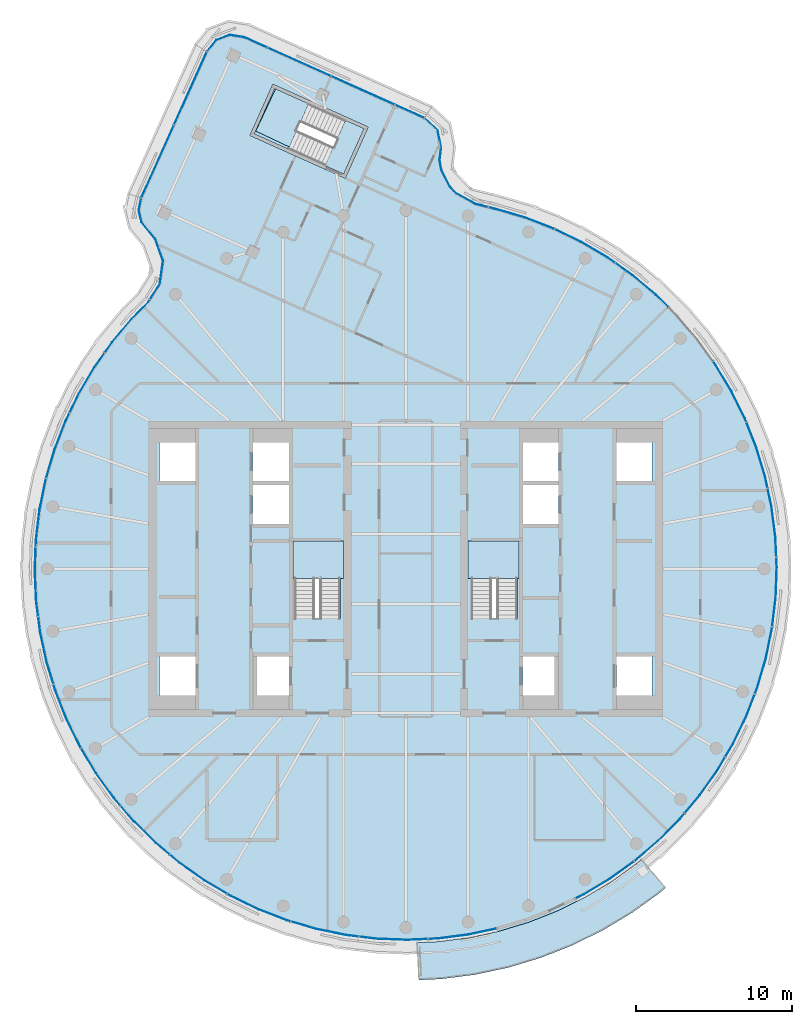
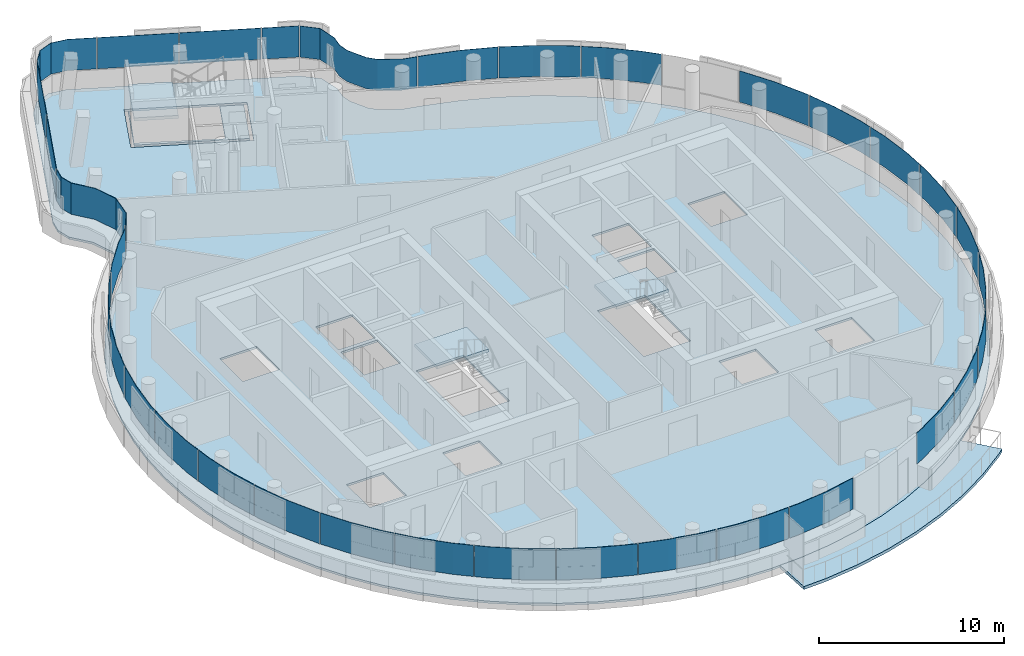
# One storey, part 12 of 21: 34 plates, 6 slabs, 6 elements without a shape of their own.
"""IFC4 building model written with IfcOpenShell, lengths in metres."""

from ifc_helpers import new_model, si_unit, direction, frame, origin, place, context, subcontext, project, spatial, polyline, outline, extrude, material, layer, layer_set, type_object, element, aggregate, save


model = new_model("IFC4")

# Units and contexts
model_context = context("Model", 3, precision=1e-05, world=origin(), true_north=direction((0.0, 1.0)))
body_context = subcontext(model_context, "Body", "Model", "MODEL_VIEW")
ifc_project = project(units=[si_unit("LENGTHUNIT", "METRE"), si_unit("AREAUNIT", "SQUARE_METRE"), si_unit("VOLUMEUNIT", "CUBIC_METRE"), si_unit("PLANEANGLEUNIT", "RADIAN"), si_unit("MASSUNIT", "GRAM", prefix="KILO")], contexts=[model_context])

# Site, building, storey
site_placement = place(None, origin())
site = spatial("IfcSite", under=ifc_project, at=site_placement, CompositionType="ELEMENT")
building_placement = place(site_placement, origin())
building = spatial("IfcBuilding", under=site, at=building_placement, Name="Tamarind Cross Interchange Tower", CompositionType="ELEMENT")
storey_placement = place(building_placement, frame((0.0, 0.0, 271.199951171875)))
storey = spatial("IfcBuildingStorey", under=building, at=storey_placement, Name="L69", CompositionType="ELEMENT", Elevation=271.199951171875)

# Slabs
ifc_material_1 = material(Name="Precast concrete C40", Category="concrete")
ifc_layer_1 = layer(ifc_material_1, 0.199951171875)
ifc_layer_set_1 = layer_set([ifc_layer_1], Name="Precast concrete C40")
slab_type_1 = type_object("IfcSlabType", Name="Balcony slab", PredefinedType="BASESLAB", material=ifc_layer_set_1)
slab_1_placement = place(storey_placement, frame((0.0, 0.0, -0.199951171875)))
element("IfcSlab", 1, at=slab_1_placement, inside=storey, type_object=slab_type_1, Name="SLB-L69-BAL01", PredefinedType="BASESLAB", context=body_context, shape_type="SweptSolid", body=[
    extrude(outline(polyline([(0.734130859375, -23.967041015625), (2.08447265625, -23.9052734375), (4.051513671875, -23.6513671875), (5.99072265625, -23.236083984375), (7.88916015625, -22.662109375), (9.733642578125, -21.93310546875), (11.511474609375, -21.054443359375), (13.2109375, -20.031982421875), (14.820068359375, -18.87255859375), (15.09716796875, -18.6357421875), (16.65625, -20.46044921875), (16.303466796875, -20.76171875), (14.533203125, -22.037109375), (12.663818359375, -23.162109375), (10.7080078125, -24.128662109375), (8.6787109375, -24.9306640625), (6.59033203125, -25.56201171875), (4.45703125, -26.01904296875), (2.293212890625, -26.298095703125), (0.843505859375, -26.364501953125), (0.734130859375, -23.967041015625)])), origin(), (0.0, 0.0, 1.0), 0.199951171875),
])
ifc_material_2 = material(Name="Concrete C35", Category="concrete")
ifc_layer_2 = layer(ifc_material_2, 0.139892578125)
ifc_layer_set_2 = layer_set([ifc_layer_2], Name="Concrete C35")
slab_type_2 = type_object("IfcSlabType", Name="Composite slab 140 Concrete C35", PredefinedType="FLOOR", material=ifc_layer_set_2)
slab_2_placement = place(storey_placement, frame((0.0, 0.0, -0.139892578125)))
element("IfcSlab", 2, at=slab_2_placement, inside=storey, type_object=slab_type_2, Name="Floor slab L69", PredefinedType="FLOOR", context=body_context, shape_type="SweptSolid", body=[
    extrude(outline(polyline([(2.2275390625, 28.24365234375), (1.303466796875, 29.087890625), (-10.285400390625, 34.290771484375), (-11.307373046875, 34.455810546875), (-12.275146484375, 34.087890625), (-12.92919921875, 33.285400390625), (-17.16259765625, 23.85546875), (-17.337646484375, 22.994384765625), (-17.12646484375, 22.14111328125), (-16.25439453125, 21.070556640625), (-15.778564453125, 19.739990234375), (-15.975830078125, 18.340576171875), (-16.6787109375, 17.2333984375), (-17.72412109375, 16.17578125), (-18.99951171875, 14.656982421875), (-20.14501953125, 13.0380859375), (-21.15283203125, 11.329833984375), (-22.01611328125, 9.54443359375), (-22.72900390625, 7.693603515625), (-23.286865234375, 5.79052734375), (-23.685546875, 3.84765625), (-23.92236328125, 1.878662109375), (-23.99560546875, -0.103271484375), (-23.9052734375, -2.08447265625), (-23.651611328125, -4.051513671875), (-23.236083984375, -5.99072265625), (-22.662109375, -7.88916015625), (-21.93310546875, -9.7333984375), (-21.054443359375, -11.511474609375), (-20.031982421875, -13.2109375), (-18.87255859375, -14.820068359375), (-17.584228515625, -16.327880859375), (-16.17578125, -17.72412109375), (-14.656982421875, -18.99951171875), (-13.0380859375, -20.14501953125), (-11.329833984375, -21.15283203125), (-9.54443359375, -22.01611328125), (-7.693603515625, -22.72900390625), (-5.79052734375, -23.286865234375), (-3.84765625, -23.685546875), (-1.878662109375, -23.92236328125), (0.103271484375, -23.99560546875), (2.08447265625, -23.9052734375), (4.051513671875, -23.651611328125), (5.99072265625, -23.236083984375), (7.88916015625, -22.662109375), (9.7333984375, -21.93310546875), (11.511474609375, -21.054443359375), (13.2109375, -20.031982421875), (14.820068359375, -18.87255859375), (16.327880859375, -17.584228515625), (17.72412109375, -16.17578125), (18.99951171875, -14.656982421875), (20.14501953125, -13.0380859375), (21.15283203125, -11.329833984375), (22.01611328125, -9.54443359375), (22.72900390625, -7.693603515625), (23.286865234375, -5.79052734375), (23.685546875, -3.84765625), (23.92236328125, -1.878662109375), (23.99560546875, 0.103271484375), (23.9052734375, 2.08447265625), (23.651611328125, 4.051513671875), (23.236083984375, 5.99072265625), (22.662109375, 7.88916015625), (21.93310546875, 9.7333984375), (21.054443359375, 11.511474609375), (20.031982421875, 13.2109375), (18.87255859375, 14.820068359375), (17.584228515625, 16.327880859375), (16.17578125, 17.72412109375), (14.656982421875, 18.99951171875), (13.0380859375, 20.14501953125), (11.329833984375, 21.15283203125), (9.54443359375, 22.01611328125), (7.693603515625, 22.72900390625), (5.79052734375, 23.286865234375), (4.543212890625, 23.593017578125), (3.395751953125, 24.2265625), (2.9970703125, 24.638671875), (2.470703125, 25.67236328125), (2.37158203125, 26.237060546875), (2.468994140625, 27.015380859375), (2.2275390625, 28.24365234375)]), holes=[polyline([(-13.5, -5.625), (-13.5, -8.125), (-15.800048828125, -8.125), (-15.800048828125, -5.625), (-13.5, -5.625)]), polyline([(-7.5, -5.625), (-7.5, -8.125), (-9.800048828125, -8.125), (-9.800048828125, -5.625), (-7.5, -5.625)]), polyline([(-7.14990234375, 1.800048828125), (-4.199951171875, 1.800048828125), (-4.199951171875, -3.18798828125), (-7.14990234375, -3.18798828125), (-7.14990234375, 1.800048828125)]), polyline([(-7.5, 5.375), (-7.5, 2.875), (-9.800048828125, 2.875), (-9.800048828125, 5.375), (-7.5, 5.375)]), polyline([(-13.5, 8.125), (-13.5, 5.625), (-15.800048828125, 5.625), (-15.800048828125, 8.125), (-13.5, 8.125)]), polyline([(-7.5, 8.125), (-7.5, 5.625), (-9.800048828125, 5.625), (-9.800048828125, 8.125), (-7.5, 8.125)]), polyline([(-3.887451171875, 25.060791015625), (-9.999755859375, 27.8046875), (-9.917724609375, 27.9873046875), (-8.607177734375, 30.906494140625), (-8.525390625, 31.089111328125), (-8.2646484375, 30.971923828125), (-8.262451171875, 30.976806640625), (-8.00048828125, 30.853271484375), (-2.4130859375, 28.344970703125), (-2.494873046875, 28.162353515625), (-3.8056640625, 25.2431640625), (-3.887451171875, 25.060791015625)]), polyline([(7.5, -8.125), (7.5, -5.625), (9.800048828125, -5.625), (9.800048828125, -8.125), (7.5, -8.125)]), polyline([(13.5, -8.125), (13.5, -5.625), (15.800048828125, -5.625), (15.800048828125, -8.125), (13.5, -8.125)]), polyline([(4.199951171875, 1.800048828125), (7.14990234375, 1.800048828125), (7.14990234375, -3.18798828125), (4.199951171875, -3.18798828125), (4.199951171875, 1.800048828125)]), polyline([(7.5, 2.875), (7.5, 5.375), (9.800048828125, 5.375), (9.800048828125, 2.875), (7.5, 2.875)]), polyline([(7.5, 5.625), (7.5, 8.125), (9.800048828125, 8.125), (9.800048828125, 5.625), (7.5, 5.625)]), polyline([(13.5, 5.625), (13.5, 8.125), (15.800048828125, 8.125), (15.800048828125, 5.625), (13.5, 5.625)])]), origin(), (0.0, 0.0, 1.0), 0.139892578125),
])
slab_3_placement = place(storey_placement, frame((0.0, 0.0, -0.139892578125)))
element("IfcSlab", 3, at=slab_3_placement, inside=storey, type_object=slab_type_2, Name="Floor slab L69", PredefinedType="FLOOR", context=body_context, shape_type="SweptSolid", body=[
    extrude(outline(polyline([(-8.4248046875, 30.82470703125), (-9.7353515625, 27.9052734375), (-3.988037109375, 25.324951171875), (-2.677490234375, 28.244384765625), (-3.874267578125, 28.78173828125), (-5.1376953125, 25.967529296875), (-9.626220703125, 28.081787109375), (-8.349853515625, 30.791015625), (-8.4248046875, 30.82470703125)])), origin(), (0.0, 0.0, 1.0), 0.139892578125),
])

# Stair, slab
ifc_material_3 = material(Name="Exit stair")
stair_type = type_object("IfcStairType", Name="Exit stair", PredefinedType="HALF_TURN_STAIR", material=ifc_material_3)
stair_1_placement = place(storey_placement, origin())
stair_1 = element("IfcStair", 4, at=stair_1_placement, inside=storey, type_object=stair_type, Name="L69 exit stair ST1", PredefinedType="HALF_TURN_STAIR")
ifc_material_4 = material(Name="Concrete C40", Category="concrete")
ifc_layer_3 = layer(ifc_material_4, 0.199951171875)
ifc_layer_set_3 = layer_set([ifc_layer_3], Name="Concrete C40")
slab_type_3 = type_object("IfcSlabType", Name="Stair landing", PredefinedType="LANDING", material=ifc_layer_set_3)
slab_4_placement = place(storey_placement, frame((0.0, 0.0, 1.60009765625)))
slab_4 = element("IfcSlab", 5, at=slab_4_placement, type_object=slab_type_3, Name="ST1 landing 1", PredefinedType="LANDING", context=body_context, shape_type="SweptSolid", body=[
    extrude(outline(polyline([(-4.0, -0.60009765625), (-4.0, 1.800048828125), (-7.25, 1.800048828125), (-7.25, -0.60009765625), (-4.0, -0.60009765625)])), origin(), (0.0, 0.0, 1.0), 0.199951171875),
])
aggregate(stair_1, [slab_4])

stair_2_placement = place(storey_placement, origin())
stair_2 = element("IfcStair", 6, at=stair_2_placement, inside=storey, type_object=stair_type, Name="L69 exit stair ST2", PredefinedType="HALF_TURN_STAIR")
slab_5_placement = place(storey_placement, frame((0.0, 0.0, 1.60009765625)))
slab_5 = element("IfcSlab", 7, at=slab_5_placement, type_object=slab_type_3, Name="ST2 landing 1", PredefinedType="LANDING", context=body_context, shape_type="SweptSolid", body=[
    extrude(outline(polyline([(7.25, -0.60009765625), (7.25, 1.800048828125), (4.0, 1.800048828125), (4.0, -0.60009765625), (7.25, -0.60009765625)])), origin(), (0.0, 0.0, 1.0), 0.199951171875),
])
aggregate(stair_2, [slab_5])

stair_3_placement = place(storey_placement, origin())
stair_3 = element("IfcStair", 8, at=stair_3_placement, inside=storey, type_object=stair_type, Name="L69 exit stair ST4", PredefinedType="HALF_TURN_STAIR")
slab_6_placement = place(storey_placement, frame((0.0, 0.0, 1.60009765625)))
slab_6 = element("IfcSlab", 9, at=slab_6_placement, type_object=slab_type_3, Name="ST4 landing 1", PredefinedType="LANDING", context=body_context, shape_type="SweptSolid", body=[
    extrude(outline(polyline([(-6.224365234375, 29.836669921875), (-8.4248046875, 30.82470703125), (-9.7353515625, 27.9052734375), (-7.534912109375, 26.91748046875), (-6.224365234375, 29.836669921875)])), origin(), (0.0, 0.0, 1.0), 0.199951171875),
])
aggregate(stair_3, [slab_6])

# Curtain wall, plates
ifc_material_5 = material(Name="Aluminium 6063-T6", Category="aluminium")
ifc_layer_4 = layer(ifc_material_5, 0.139892578125)
ifc_layer_set_4 = layer_set([ifc_layer_4], Name="Aluminium 6063-T6")
curtain_wall_type = type_object("IfcCurtainWallType", Name="Hotel curtain wall, 4.5 m bays", PredefinedType="NOTDEFINED", material=ifc_layer_set_4)
curtain_wall_1_placement = place(storey_placement, origin())
curtain_wall_1 = element("IfcCurtainWall", 10, at=curtain_wall_1_placement, inside=storey, type_object=curtain_wall_type, Name="CWS-L69-00", PredefinedType="NOTDEFINED")
ifc_material_6 = material(Name="Laminated low-e glass 6+1.52+6", Category="glass")
ifc_layer_5 = layer(ifc_material_6, 0.02392578125)
ifc_layer_set_5 = layer_set([ifc_layer_5], Name="Laminated low-e glass 6+1.52+6")
plate_type = type_object("IfcPlateType", Name="Vision panel CW2", PredefinedType="CURTAIN_PANEL", material=ifc_layer_set_5)
plate_1_placement = place(storey_placement, frame((0.0, 0.0, 1.400146484375)))
plate_1 = element("IfcPlate", 11, at=plate_1_placement, type_object=plate_type, Name="CWP-L69-00-00", PredefinedType="CURTAIN_PANEL", context=body_context, shape_type="SweptSolid", body=[
    extrude(outline(polyline([(-12.7587890625, 33.14697265625), (-14.841064453125, 28.509033203125), (-14.86279296875, 28.518798828125), (-12.78076171875, 33.156982421875), (-12.7587890625, 33.14697265625)])), origin(), (0.0, 0.0, 1.0), 2.059814453125),
])
plate_2_placement = place(storey_placement, frame((0.0, 0.0, 1.400146484375)))
plate_2 = element("IfcPlate", 12, at=plate_2_placement, type_object=plate_type, Name="CWP-L69-00-01", PredefinedType="CURTAIN_PANEL", context=body_context, shape_type="SweptSolid", body=[
    extrude(outline(polyline([(-14.865478515625, 28.454345703125), (-16.94775390625, 23.81640625), (-16.9697265625, 23.826171875), (-14.887451171875, 28.464111328125), (-14.865478515625, 28.454345703125)])), origin(), (0.0, 0.0, 1.0), 2.059814453125),
])
aggregate(curtain_wall_1, [plate_1, plate_2])

curtain_wall_2_placement = place(storey_placement, origin())
curtain_wall_2 = element("IfcCurtainWall", 13, at=curtain_wall_2_placement, inside=storey, type_object=curtain_wall_type, Name="CWS-L69-01", PredefinedType="NOTDEFINED")
plate_3_placement = place(storey_placement, frame((0.0, 0.0, 1.400146484375)))
plate_3 = element("IfcPlate", 14, at=plate_3_placement, type_object=plate_type, Name="CWP-L69-01-00", PredefinedType="CURTAIN_PANEL", context=body_context, shape_type="SweptSolid", body=[
    extrude(outline(polyline([(-16.96533203125, 23.761962890625), (-17.120361328125, 22.998779296875), (-16.93212890625, 22.23828125), (-16.067138671875, 21.17626953125), (-15.561279296875, 19.761962890625), (-15.772216796875, 18.265625), (-16.383544921875, 17.302978515625), (-16.40380859375, 17.31591796875), (-15.79541015625, 18.27392578125), (-15.5859375, 19.759521484375), (-16.088134765625, 21.164306640625), (-16.9541015625, 22.227294921875), (-17.14501953125, 22.998291015625), (-16.98876953125, 23.766845703125), (-16.96533203125, 23.761962890625)])), origin(), (0.0, 0.0, 1.0), 2.059814453125),
])
plate_4_placement = place(storey_placement, frame((0.0, 0.0, 1.400146484375)))
plate_4 = element("IfcPlate", 15, at=plate_4_placement, type_object=plate_type, Name="CWP-L69-01-01", PredefinedType="CURTAIN_PANEL", context=body_context, shape_type="SweptSolid", body=[
    extrude(outline(polyline([(-16.41552734375, 17.252197265625), (-16.511962890625, 17.1005859375), (-17.5673828125, 16.032958984375), (-18.83154296875, 14.52734375), (-19.291259765625, 13.87744140625), (-19.31103515625, 13.89111328125), (-18.850341796875, 14.5419921875), (-17.585205078125, 16.049072265625), (-16.53076171875, 17.115478515625), (-16.435791015625, 17.26513671875), (-16.41552734375, 17.252197265625)])), origin(), (0.0, 0.0, 1.0), 2.059814453125),
])
plate_5_placement = place(storey_placement, frame((0.0, 0.0, 1.400146484375)))
plate_5 = element("IfcPlate", 16, at=plate_5_placement, type_object=plate_type, Name="CWP-L69-01-02", PredefinedType="CURTAIN_PANEL", context=body_context, shape_type="SweptSolid", body=[
    extrude(outline(polyline([(-19.325927734375, 13.828369140625), (-19.966796875, 12.922607421875), (-20.9658203125, 11.229736328125), (-21.544677734375, 10.0322265625), (-21.56640625, 10.042724609375), (-20.98681640625, 11.240966796875), (-19.987060546875, 12.935791015625), (-19.345458984375, 13.84228515625), (-19.325927734375, 13.828369140625)])), origin(), (0.0, 0.0, 1.0), 2.059814453125),
])
plate_6_placement = place(storey_placement, frame((0.0, 0.0, 1.400146484375)))
plate_6 = element("IfcPlate", 17, at=plate_6_placement, type_object=plate_type, Name="CWP-L69-01-03", PredefinedType="CURTAIN_PANEL", context=body_context, shape_type="SweptSolid", body=[
    extrude(outline(polyline([(-21.57080078125, 9.978271484375), (-21.821533203125, 9.4599609375), (-22.528076171875, 7.625732421875), (-23.05224609375, 5.837158203125), (-23.0751953125, 5.843994140625), (-22.55078125, 7.63330078125), (-21.843505859375, 9.469482421875), (-21.592529296875, 9.98876953125), (-21.57080078125, 9.978271484375)])), origin(), (0.0, 0.0, 1.0), 2.059814453125),
])
plate_7_placement = place(storey_placement, frame((0.0, 0.0, 1.400146484375)))
plate_7 = element("IfcPlate", 18, at=plate_7_placement, type_object=plate_type, Name="CWP-L69-01-04", PredefinedType="CURTAIN_PANEL", context=body_context, shape_type="SweptSolid", body=[
    extrude(outline(polyline([(-23.069091796875, 5.77978515625), (-23.080810546875, 5.7392578125), (-23.47607421875, 3.813720703125), (-23.710693359375, 1.862060546875), (-23.726806640625, 1.43212890625), (-23.750732421875, 1.43310546875), (-23.734619140625, 1.864013671875), (-23.499755859375, 3.817626953125), (-23.104248046875, 5.7451171875), (-23.092041015625, 5.786376953125), (-23.069091796875, 5.77978515625)])), origin(), (0.0, 0.0, 1.0), 2.059814453125),
])
plate_8_placement = place(storey_placement, frame((0.0, 0.0, 1.400146484375)))
plate_8 = element("IfcPlate", 19, at=plate_8_placement, type_object=plate_type, Name="CWP-L69-01-05", PredefinedType="CURTAIN_PANEL", context=body_context, shape_type="SweptSolid", body=[
    extrude(outline(polyline([(-23.72900390625, 1.372314453125), (-23.783447265625, -0.102294921875), (-23.69384765625, -2.06591796875), (-23.570556640625, -3.02197265625), (-23.59423828125, -3.025146484375), (-23.7177734375, -2.068115234375), (-23.8076171875, -0.1025390625), (-23.7529296875, 1.373046875), (-23.72900390625, 1.372314453125)])), origin(), (0.0, 0.0, 1.0), 2.059814453125),
])
plate_9_placement = place(storey_placement, frame((0.0, 0.0, 1.400146484375)))
plate_9 = element("IfcPlate", 20, at=plate_9_placement, type_object=plate_type, Name="CWP-L69-01-06", PredefinedType="CURTAIN_PANEL", context=body_context, shape_type="SweptSolid", body=[
    extrude(outline(polyline([(-23.562744140625, -3.08154296875), (-23.4423828125, -4.015625), (-23.03076171875, -5.937744140625), (-22.59716796875, -7.37109375), (-22.6201171875, -7.378173828125), (-23.053955078125, -5.94384765625), (-23.466064453125, -4.019775390625), (-23.586669921875, -3.08447265625), (-23.562744140625, -3.08154296875)])), origin(), (0.0, 0.0, 1.0), 2.059814453125),
])
plate_10_placement = place(storey_placement, frame((0.0, 0.0, 1.400146484375)))
plate_10 = element("IfcPlate", 21, at=plate_10_placement, type_object=plate_type, Name="CWP-L69-01-07", PredefinedType="CURTAIN_PANEL", context=body_context, shape_type="SweptSolid", body=[
    extrude(outline(polyline([(-22.579833984375, -7.4287109375), (-22.461669921875, -7.8193359375), (-21.7392578125, -9.6474609375), (-20.868408203125, -11.40966796875), (-20.835205078125, -11.464599609375), (-20.85595703125, -11.47705078125), (-20.889404296875, -11.421142578125), (-21.76123046875, -9.6572265625), (-22.484375, -7.8271484375), (-22.602783203125, -7.435546875), (-22.579833984375, -7.4287109375)])), origin(), (0.0, 0.0, 1.0), 2.059814453125),
])
plate_11_placement = place(storey_placement, frame((0.0, 0.0, 1.400146484375)))
plate_11 = element("IfcPlate", 22, at=plate_11_placement, type_object=plate_type, Name="CWP-L69-01-08", PredefinedType="CURTAIN_PANEL", context=body_context, shape_type="SweptSolid", body=[
    extrude(outline(polyline([(-20.804443359375, -11.51611328125), (-19.854736328125, -13.093994140625), (-18.705810546875, -14.68896484375), (-18.3173828125, -15.143310546875), (-18.335693359375, -15.158935546875), (-18.724609375, -14.703857421875), (-19.874755859375, -13.107177734375), (-20.824951171875, -11.5283203125), (-20.804443359375, -11.51611328125)])), origin(), (0.0, 0.0, 1.0), 2.059814453125),
])
plate_12_placement = place(storey_placement, frame((0.0, 0.0, 1.400146484375)))
plate_12 = element("IfcPlate", 23, at=plate_12_placement, type_object=plate_type, Name="CWP-L69-01-09", PredefinedType="CURTAIN_PANEL", context=body_context, shape_type="SweptSolid", body=[
    extrude(outline(polyline([(-18.278564453125, -15.18896484375), (-17.4287109375, -16.183349609375), (-16.032958984375, -17.5673828125), (-15.166259765625, -18.294921875), (-15.181884765625, -18.313232421875), (-16.049072265625, -17.585205078125), (-17.4462890625, -16.19970703125), (-18.296875, -15.20458984375), (-18.278564453125, -15.18896484375)])), origin(), (0.0, 0.0, 1.0), 2.059814453125),
])
plate_13_placement = place(storey_placement, frame((0.0, 0.0, 1.400146484375)))
plate_13 = element("IfcPlate", 24, at=plate_13_placement, type_object=plate_type, Name="CWP-L69-01-10", PredefinedType="CURTAIN_PANEL", context=body_context, shape_type="SweptSolid", body=[
    extrude(outline(polyline([(-15.120361328125, -18.33349609375), (-14.52734375, -18.83154296875), (-12.922607421875, -19.966796875), (-11.488525390625, -20.81298828125), (-11.500732421875, -20.83349609375), (-12.935791015625, -19.987060546875), (-14.5419921875, -18.850341796875), (-15.1357421875, -18.351806640625), (-15.120361328125, -18.33349609375)])), origin(), (0.0, 0.0, 1.0), 2.059814453125),
])
plate_14_placement = place(storey_placement, frame((0.0, 0.0, 1.400146484375)))
plate_14 = element("IfcPlate", 25, at=plate_14_placement, type_object=plate_type, Name="CWP-L69-01-11", PredefinedType="CURTAIN_PANEL", context=body_context, shape_type="SweptSolid", body=[
    extrude(outline(polyline([(-11.43701171875, -20.843505859375), (-11.229736328125, -20.9658203125), (-9.4599609375, -21.821533203125), (-7.625732421875, -22.528076171875), (-7.403564453125, -22.59326171875), (-7.410400390625, -22.6162109375), (-7.63330078125, -22.55078125), (-9.469482421875, -21.843505859375), (-11.240966796875, -20.98681640625), (-11.44921875, -20.864013671875), (-11.43701171875, -20.843505859375)])), origin(), (0.0, 0.0, 1.0), 2.059814453125),
])
plate_15_placement = place(storey_placement, frame((0.0, 0.0, 1.400146484375)))
plate_15 = element("IfcPlate", 26, at=plate_15_placement, type_object=plate_type, Name="CWP-L69-01-12", PredefinedType="CURTAIN_PANEL", context=body_context, shape_type="SweptSolid", body=[
    extrude(outline(polyline([(-7.345947265625, -22.610107421875), (-5.7392578125, -23.080810546875), (-3.813720703125, -23.47607421875), (-3.053955078125, -23.5673828125), (-3.056884765625, -23.59130859375), (-3.817626953125, -23.499755859375), (-5.7451171875, -23.104248046875), (-7.352783203125, -22.633056640625), (-7.345947265625, -22.610107421875)])), origin(), (0.0, 0.0, 1.0), 2.059814453125),
])
plate_16_placement = place(storey_placement, frame((0.0, 0.0, 1.400146484375)))
plate_16 = element("IfcPlate", 27, at=plate_16_placement, type_object=plate_type, Name="CWP-L69-01-13", PredefinedType="CURTAIN_PANEL", context=body_context, shape_type="SweptSolid", body=[
    extrude(outline(polyline([(-2.994384765625, -23.574462890625), (-1.862060546875, -23.710693359375), (0.102294921875, -23.783447265625), (1.39990234375, -23.724365234375), (1.401123046875, -23.748291015625), (0.1025390625, -23.8076171875), (-1.864013671875, -23.734619140625), (-2.997314453125, -23.598388671875), (-2.994384765625, -23.574462890625)])), origin(), (0.0, 0.0, 1.0), 2.059814453125),
])
plate_17_placement = place(storey_placement, frame((0.0, 0.0, 1.400146484375)))
plate_17 = element("IfcPlate", 28, at=plate_17_placement, type_object=plate_type, Name="CWP-L69-01-14", PredefinedType="CURTAIN_PANEL", context=body_context, shape_type="SweptSolid", body=[
    extrude(outline(polyline([(1.4599609375, -23.721435546875), (2.06591796875, -23.69384765625), (4.015625, -23.4423828125), (5.8076171875, -23.05859375), (5.8125, -23.08203125), (4.019775390625, -23.466064453125), (2.068115234375, -23.7177734375), (1.4609375, -23.74560546875), (1.4599609375, -23.721435546875)])), origin(), (0.0, 0.0, 1.0), 2.059814453125),
])
plate_18_placement = place(storey_placement, frame((0.0, 0.0, 1.400146484375)))
plate_18 = element("IfcPlate", 29, at=plate_18_placement, type_object=plate_type, Name="CWP-L69-01-16", PredefinedType="CURTAIN_PANEL", context=body_context, shape_type="SweptSolid", body=[
    extrude(outline(polyline([(10.909912109375, -21.115234375), (11.40966796875, -20.868408203125), (13.093994140625, -19.854736328125), (14.620849609375, -18.7548828125), (14.634765625, -18.774169921875), (13.107177734375, -19.874755859375), (11.421142578125, -20.889404296875), (10.920654296875, -21.13671875), (10.909912109375, -21.115234375)])), origin(), (0.0, 0.0, 1.0), 2.059814453125),
])
plate_19_placement = place(storey_placement, frame((0.0, 0.0, 1.400146484375)))
plate_19 = element("IfcPlate", 30, at=plate_19_placement, type_object=plate_type, Name="CWP-L69-01-17", PredefinedType="CURTAIN_PANEL", context=body_context, shape_type="SweptSolid", body=[
    extrude(outline(polyline([(14.66943359375, -18.7197265625), (14.68896484375, -18.705810546875), (16.183349609375, -17.4287109375), (17.5673828125, -16.032958984375), (17.855712890625, -15.689453125), (17.8740234375, -15.704833984375), (17.585205078125, -16.049072265625), (16.19970703125, -17.4462890625), (14.703857421875, -18.724609375), (14.68359375, -18.7392578125), (14.66943359375, -18.7197265625)])), origin(), (0.0, 0.0, 1.0), 2.059814453125),
])
plate_20_placement = place(storey_placement, frame((0.0, 0.0, 1.400146484375)))
plate_20 = element("IfcPlate", 31, at=plate_20_placement, type_object=plate_type, Name="CWP-L69-01-18", PredefinedType="CURTAIN_PANEL", context=body_context, shape_type="SweptSolid", body=[
    extrude(outline(polyline([(17.894287109375, -15.6435546875), (18.83154296875, -14.52734375), (19.966796875, -12.922607421875), (20.4658203125, -12.076904296875), (20.486572265625, -12.089111328125), (19.987060546875, -12.935791015625), (18.850341796875, -14.5419921875), (17.91259765625, -15.658935546875), (17.894287109375, -15.6435546875)])), origin(), (0.0, 0.0, 1.0), 2.059814453125),
])
plate_21_placement = place(storey_placement, frame((0.0, 0.0, 1.400146484375)))
plate_21 = element("IfcPlate", 32, at=plate_21_placement, type_object=plate_type, Name="CWP-L69-01-19", PredefinedType="CURTAIN_PANEL", context=body_context, shape_type="SweptSolid", body=[
    extrude(outline(polyline([(20.496337890625, -12.025146484375), (20.9658203125, -11.229736328125), (21.821533203125, -9.4599609375), (22.366455078125, -8.045654296875), (22.388671875, -8.05419921875), (21.843505859375, -9.469482421875), (20.98681640625, -11.240966796875), (20.51708984375, -12.037353515625), (20.496337890625, -12.025146484375)])), origin(), (0.0, 0.0, 1.0), 2.059814453125),
])
plate_22_placement = place(storey_placement, frame((0.0, 0.0, 1.400146484375)))
plate_22 = element("IfcPlate", 33, at=plate_22_placement, type_object=plate_type, Name="CWP-L69-01-20", PredefinedType="CURTAIN_PANEL", context=body_context, shape_type="SweptSolid", body=[
    extrude(outline(polyline([(22.387939453125, -7.989501953125), (22.528076171875, -7.625732421875), (23.080810546875, -5.7392578125), (23.47607421875, -3.813720703125), (23.48583984375, -3.732177734375), (23.509765625, -3.73486328125), (23.499755859375, -3.817626953125), (23.104248046875, -5.7451171875), (22.55078125, -7.63330078125), (22.410400390625, -7.998291015625), (22.387939453125, -7.989501953125)])), origin(), (0.0, 0.0, 1.0), 2.059814453125),
])
plate_23_placement = place(storey_placement, frame((0.0, 0.0, 1.400146484375)))
plate_23 = element("IfcPlate", 34, at=plate_23_placement, type_object=plate_type, Name="CWP-L69-01-21", PredefinedType="CURTAIN_PANEL", context=body_context, shape_type="SweptSolid", body=[
    extrude(outline(polyline([(23.492919921875, -3.672607421875), (23.710693359375, -1.862060546875), (23.783447265625, 0.102294921875), (23.75537109375, 0.717529296875), (23.779541015625, 0.71875), (23.8076171875, 0.1025390625), (23.734619140625, -1.864013671875), (23.516845703125, -3.67529296875), (23.492919921875, -3.672607421875)])), origin(), (0.0, 0.0, 1.0), 2.059814453125),
])
plate_24_placement = place(storey_placement, frame((0.0, 0.0, 1.400146484375)))
plate_24 = element("IfcPlate", 35, at=plate_24_placement, type_object=plate_type, Name="CWP-L69-01-22", PredefinedType="CURTAIN_PANEL", context=body_context, shape_type="SweptSolid", body=[
    extrude(outline(polyline([(23.752685546875, 0.777587890625), (23.69384765625, 2.06591796875), (23.4423828125, 4.015625), (23.20166015625, 5.139892578125), (23.22509765625, 5.144775390625), (23.466064453125, 4.019775390625), (23.7177734375, 2.068115234375), (23.776611328125, 0.778564453125), (23.752685546875, 0.777587890625)])), origin(), (0.0, 0.0, 1.0), 2.059814453125),
])
plate_25_placement = place(storey_placement, frame((0.0, 0.0, 1.400146484375)))
plate_25 = element("IfcPlate", 36, at=plate_25_placement, type_object=plate_type, Name="CWP-L69-01-23", PredefinedType="CURTAIN_PANEL", context=body_context, shape_type="SweptSolid", body=[
    extrude(outline(polyline([(23.18896484375, 5.198486328125), (23.03076171875, 5.937744140625), (22.461669921875, 7.8193359375), (21.843017578125, 9.384765625), (21.865234375, 9.3935546875), (22.484375, 7.8271484375), (23.053955078125, 5.94384765625), (23.21240234375, 5.20361328125), (23.18896484375, 5.198486328125)])), origin(), (0.0, 0.0, 1.0), 2.059814453125),
])
plate_26_placement = place(storey_placement, frame((0.0, 0.0, 1.400146484375)))
plate_26 = element("IfcPlate", 37, at=plate_26_placement, type_object=plate_type, Name="CWP-L69-01-24", PredefinedType="CURTAIN_PANEL", context=body_context, shape_type="SweptSolid", body=[
    extrude(outline(polyline([(21.821044921875, 9.440673828125), (21.7392578125, 9.6474609375), (20.868408203125, 11.40966796875), (19.854736328125, 13.093994140625), (19.708740234375, 13.296630859375), (19.728271484375, 13.310791015625), (19.874755859375, 13.107177734375), (20.889404296875, 11.421142578125), (21.76123046875, 9.6572265625), (21.84326171875, 9.449462890625), (21.821044921875, 9.440673828125)])), origin(), (0.0, 0.0, 1.0), 2.059814453125),
])
plate_27_placement = place(storey_placement, frame((0.0, 0.0, 1.400146484375)))
plate_27 = element("IfcPlate", 38, at=plate_27_placement, type_object=plate_type, Name="CWP-L69-01-26", PredefinedType="CURTAIN_PANEL", context=body_context, shape_type="SweptSolid", body=[
    extrude(outline(polyline([(16.829833984375, 16.77734375), (16.032958984375, 17.5673828125), (14.52734375, 18.83154296875), (13.4521484375, 19.59228515625), (13.4658203125, 19.61181640625), (14.5419921875, 18.850341796875), (16.049072265625, 17.585205078125), (16.8466796875, 16.794189453125), (16.829833984375, 16.77734375)])), origin(), (0.0, 0.0, 1.0), 2.059814453125),
])
plate_28_placement = place(storey_placement, frame((0.0, 0.0, 1.400146484375)))
plate_28 = element("IfcPlate", 39, at=plate_28_placement, type_object=plate_type, Name="CWP-L69-01-27", PredefinedType="CURTAIN_PANEL", context=body_context, shape_type="SweptSolid", body=[
    extrude(outline(polyline([(13.403076171875, 19.626953125), (12.922607421875, 19.966796875), (11.229736328125, 20.9658203125), (9.5634765625, 21.771484375), (9.573974609375, 21.79296875), (11.240966796875, 20.98681640625), (12.935791015625, 19.987060546875), (13.4169921875, 19.646484375), (13.403076171875, 19.626953125)])), origin(), (0.0, 0.0, 1.0), 2.059814453125),
])
plate_29_placement = place(storey_placement, frame((0.0, 0.0, 1.400146484375)))
plate_29 = element("IfcPlate", 40, at=plate_29_placement, type_object=plate_type, Name="CWP-L69-01-28", PredefinedType="CURTAIN_PANEL", context=body_context, shape_type="SweptSolid", body=[
    extrude(outline(polyline([(9.509521484375, 21.797607421875), (9.4599609375, 21.821533203125), (7.625732421875, 22.528076171875), (5.7353515625, 23.08203125), (5.318359375, 23.184326171875), (5.323974609375, 23.207763671875), (5.74169921875, 23.105224609375), (7.63330078125, 22.55078125), (9.469482421875, 21.843505859375), (9.519775390625, 21.819091796875), (9.509521484375, 21.797607421875)])), origin(), (0.0, 0.0, 1.0), 2.059814453125),
])
plate_30_placement = place(storey_placement, frame((0.0, 0.0, 1.400146484375)))
plate_30 = element("IfcPlate", 41, at=plate_30_placement, type_object=plate_type, Name="CWP-L69-01-29", PredefinedType="CURTAIN_PANEL", context=body_context, shape_type="SweptSolid", body=[
    extrude(outline(polyline([(5.260009765625, 23.19873046875), (4.46533203125, 23.393798828125), (3.265380859375, 24.05615234375), (2.822509765625, 24.51416015625), (2.267333984375, 25.6044921875), (2.1572265625, 26.23193359375), (2.25439453125, 27.0078125), (2.032958984375, 28.13427734375), (1.206298828125, 28.889404296875), (1.222412109375, 28.9072265625), (2.054931640625, 28.146728515625), (2.278564453125, 27.0087890625), (2.181640625, 26.232421875), (2.290283203125, 25.612060546875), (2.84228515625, 24.528076171875), (3.2802734375, 24.075439453125), (4.474365234375, 23.41650390625), (5.265869140625, 23.22216796875), (5.260009765625, 23.19873046875)])), origin(), (0.0, 0.0, 1.0), 2.059814453125),
])
aggregate(curtain_wall_2, [plate_3, plate_4, plate_5, plate_6, plate_7, plate_8, plate_9, plate_10, plate_11, plate_12, plate_13, plate_14, plate_15, plate_16, plate_17, plate_18, plate_19, plate_20, plate_21, plate_22, plate_23, plate_24, plate_25, plate_26, plate_27, plate_28, plate_29, plate_30])

curtain_wall_3_placement = place(storey_placement, origin())
curtain_wall_3 = element("IfcCurtainWall", 42, at=curtain_wall_3_placement, inside=storey, type_object=curtain_wall_type, Name="CWS-L69-02", PredefinedType="NOTDEFINED")
plate_31_placement = place(storey_placement, frame((0.0, 0.0, 1.400146484375)))
plate_31 = element("IfcPlate", 43, at=plate_31_placement, type_object=plate_type, Name="CWP-L69-02-00", PredefinedType="CURTAIN_PANEL", context=body_context, shape_type="SweptSolid", body=[
    extrude(outline(polyline([(1.159912109375, 28.919921875), (-0.6796875, 29.745849609375), (-0.669921875, 29.767822265625), (1.169677734375, 28.94189453125), (1.159912109375, 28.919921875)])), origin(), (0.0, 0.0, 1.0), 2.059814453125),
])
plate_32_placement = place(storey_placement, frame((0.0, 0.0, 1.400146484375)))
plate_32 = element("IfcPlate", 44, at=plate_32_placement, type_object=plate_type, Name="CWP-L69-02-01", PredefinedType="CURTAIN_PANEL", context=body_context, shape_type="SweptSolid", body=[
    extrude(outline(polyline([(-0.734375, 29.7705078125), (-4.76611328125, 31.580322265625), (-4.75634765625, 31.602294921875), (-0.724609375, 29.792236328125), (-0.734375, 29.7705078125)])), origin(), (0.0, 0.0, 1.0), 2.059814453125),
])
plate_33_placement = place(storey_placement, frame((0.0, 0.0, 1.400146484375)))
plate_33 = element("IfcPlate", 45, at=plate_33_placement, type_object=plate_type, Name="CWP-L69-02-02", PredefinedType="CURTAIN_PANEL", context=body_context, shape_type="SweptSolid", body=[
    extrude(outline(polyline([(-4.82080078125, 31.60498046875), (-8.8525390625, 33.4150390625), (-8.842529296875, 33.436767578125), (-4.81103515625, 31.626953125), (-4.82080078125, 31.60498046875)])), origin(), (0.0, 0.0, 1.0), 2.059814453125),
])
plate_34_placement = place(storey_placement, frame((0.0, 0.0, 1.400146484375)))
plate_34 = element("IfcPlate", 46, at=plate_34_placement, type_object=plate_type, Name="CWP-L69-02-03", PredefinedType="CURTAIN_PANEL", context=body_context, shape_type="SweptSolid", body=[
    extrude(outline(polyline([(-8.9072265625, 33.439453125), (-10.3466796875, 34.0859375), (-11.28515625, 34.237548828125), (-12.146728515625, 33.909912109375), (-12.729248046875, 33.195068359375), (-12.747802734375, 33.210205078125), (-12.1611328125, 33.929931640625), (-11.28759765625, 34.26220703125), (-10.33984375, 34.109130859375), (-8.897216796875, 33.46142578125), (-8.9072265625, 33.439453125)])), origin(), (0.0, 0.0, 1.0), 2.059814453125),
])
aggregate(curtain_wall_3, [plate_31, plate_32, plate_33, plate_34])

save(model, "model.ifc")
